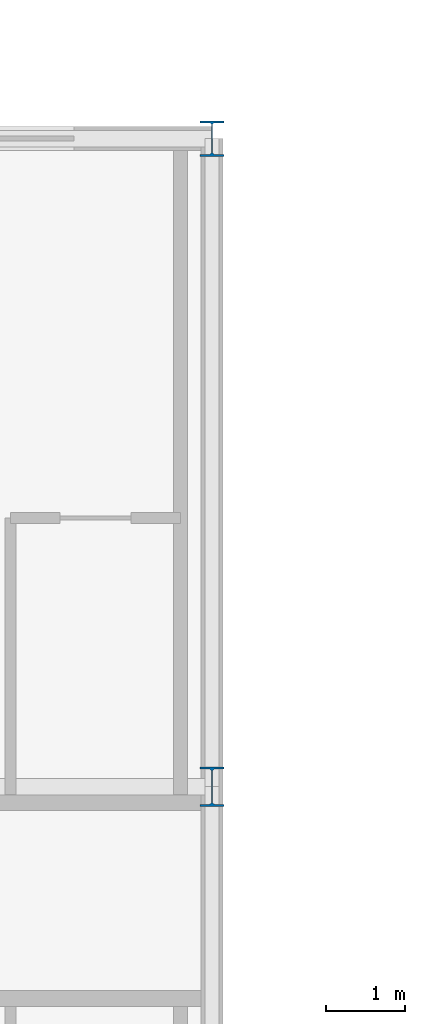
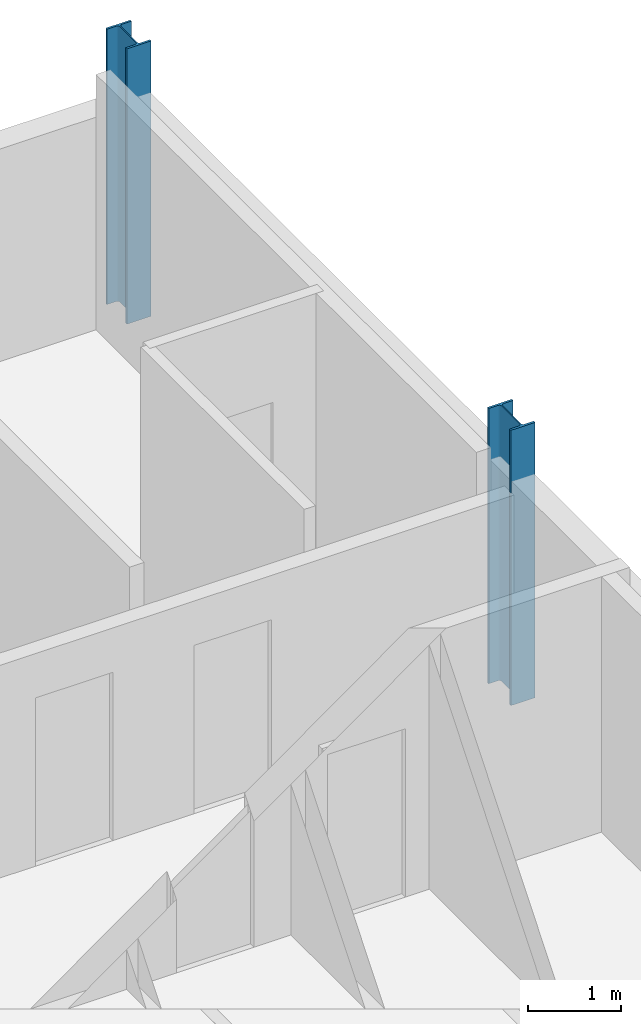
# One storey, part 7 of 36: 2 columns.
"""IFC4 building model written with IfcOpenShell, lengths in metres."""

from ifc_helpers import new_model, si_unit, direction, frame, origin, origin_2d, place, context, subcontext, project, spatial, i_section, extrude, material, material_profile, profile_set, type_object, element, save


model = new_model("IFC4")

# Units and contexts
model_context = context("Model", 3, precision=1e-05, world=origin(), true_north=direction((0.0, 1.0)))
body_context = subcontext(model_context, "Body", "Model", "MODEL_VIEW")
ifc_project = project(units=[si_unit("LENGTHUNIT", "METRE"), si_unit("AREAUNIT", "SQUARE_METRE"), si_unit("VOLUMEUNIT", "CUBIC_METRE"), si_unit("PLANEANGLEUNIT", "RADIAN"), si_unit("MASSUNIT", "GRAM", prefix="KILO")], contexts=[model_context])

# Site, building, storey
site_placement = place(None, origin())
site = spatial("IfcSite", under=ifc_project, at=site_placement, CompositionType="ELEMENT")
building_placement = place(site_placement, origin())
building = spatial("IfcBuilding", under=site, at=building_placement, Name="Sefraquen Railside Congress Hotel", CompositionType="ELEMENT")
storey_placement = place(building_placement, frame((0.0, 0.0, 24.60009765625)))
storey = spatial("IfcBuildingStorey", under=building, at=storey_placement, Name="L05", CompositionType="ELEMENT", Elevation=24.60009765625)

# Columns
ifc_material = material(Name="Steel S355JR", Category="steel")
ifc_material_profile_1 = material_profile(ifc_material, i_section(OverallWidth=0.300048828125, OverallDepth=0.449951171875, WebThickness=0.013916015625, FlangeThickness=0.02587890625, FilletRadius=0.027099609375, at=origin_2d()), Name="HEB 450")
ifc_profile_set_1 = profile_set([ifc_material_profile_1], Name="Steel S355JR")
column_type_1 = type_object("IfcColumnType", Name="TC-HEB-450", PredefinedType="COLUMN", material=ifc_profile_set_1)
column_1_placement = place(storey_placement, frame((120.0, 118.0, 0.0), z_axis=(0.0, 0.0, 1.0), x_axis=(1.0, 0.0, 0.0)))
element("IfcColumn", 1, at=column_1_placement, inside=storey, type_object=column_type_1, Name="Structural column 16-Q L05", PredefinedType="COLUMN", context=body_context, shape_type="SweptSolid", body=[
    extrude(i_section(OverallWidth=0.300048828125, OverallDepth=0.449951171875, WebThickness=0.013916015625, FlangeThickness=0.02587890625, FilletRadius=0.027099609375, at=origin_2d()), origin(), (0.0, 0.0, 1.0), 3.599853515625),
])
ifc_material_profile_2 = material_profile(ifc_material, i_section(OverallWidth=0.300048828125, OverallDepth=0.5, WebThickness=0.014404296875, FlangeThickness=0.028076171875, FilletRadius=0.027099609375, at=origin_2d()), Name="HEB 500")
ifc_profile_set_2 = profile_set([ifc_material_profile_2], Name="Steel S355JR")
column_type_2 = type_object("IfcColumnType", Name="TC-HEB-500", PredefinedType="COLUMN", material=ifc_profile_set_2)
column_2_placement = place(storey_placement, frame((120.0, 109.800048828125, 0.0), z_axis=(0.0, 0.0, 1.0), x_axis=(1.0, 0.0, 0.0)))
element("IfcColumn", 2, at=column_2_placement, inside=storey, type_object=column_type_2, Name="Structural column 16-P L05", PredefinedType="COLUMN", context=body_context, shape_type="SweptSolid", body=[
    extrude(i_section(OverallWidth=0.300048828125, OverallDepth=0.5, WebThickness=0.014404296875, FlangeThickness=0.028076171875, FilletRadius=0.027099609375, at=origin_2d()), origin(), (0.0, 0.0, 1.0), 3.599853515625),
])

save(model, "model.ifc")
